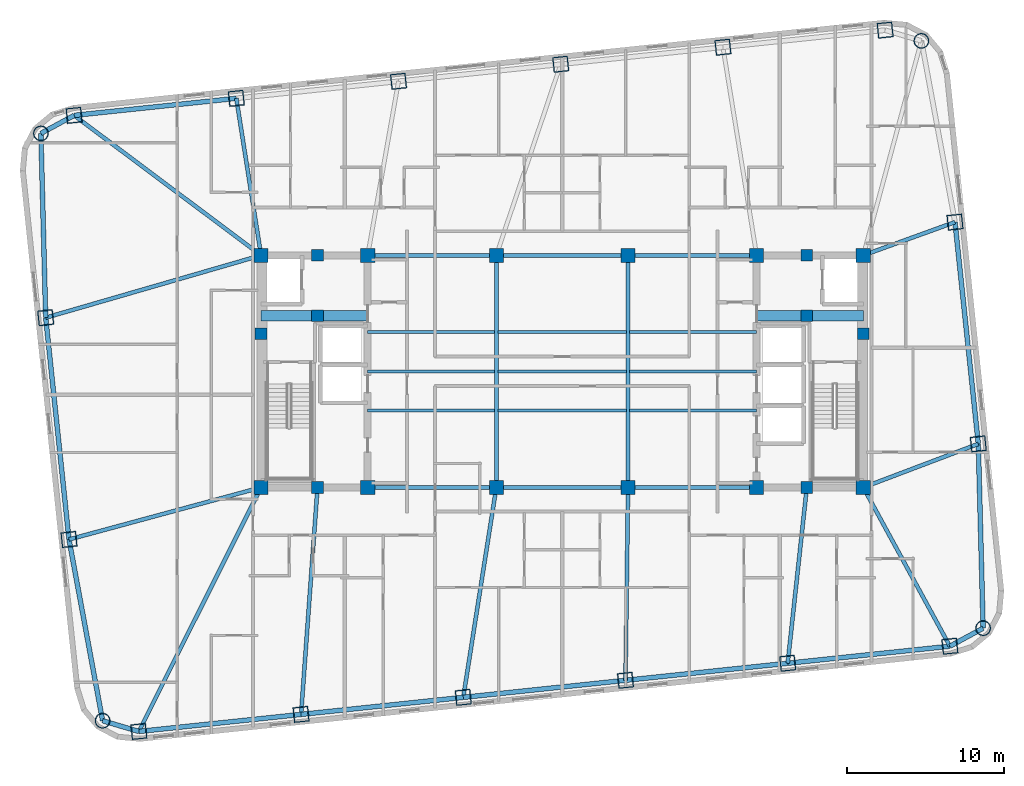
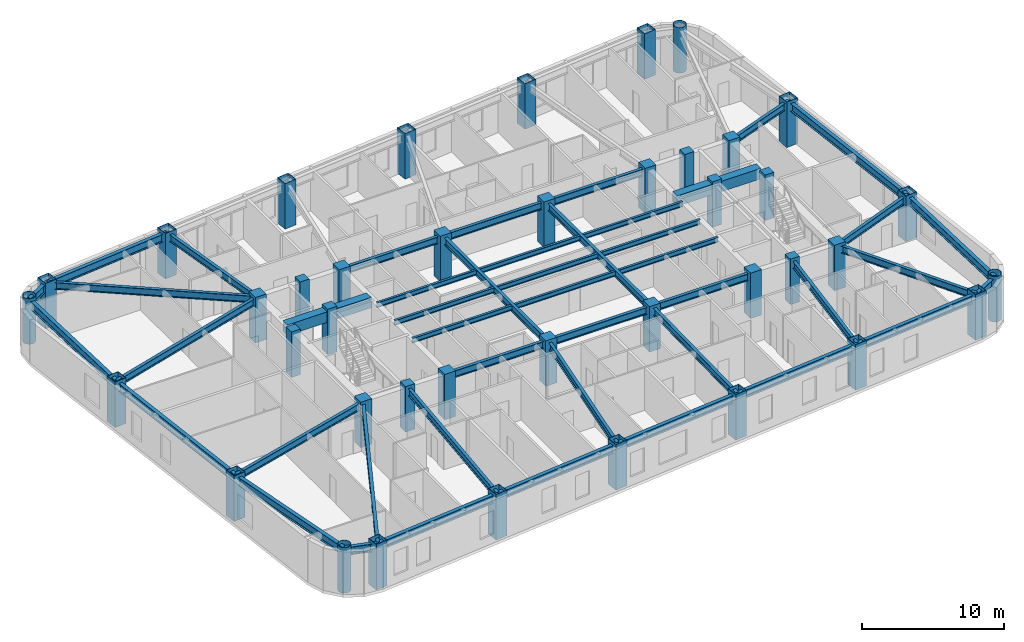
# One storey, part 1 of 11: 45 beams, 40 columns.
"""IFC4 building model written with IfcOpenShell, lengths in metres."""

import ifcopenshell
import ifcopenshell.guid

model = None  # the IFC model being written
_history = None  # IfcOwnerHistory: only IFC2X3 demands one
_inside = {}  # id of a spatial element -> (the spatial element, [elements in it])
_under = {}  # id of a project, library or spatial element -> (it, [spatial elements below it])
_declared = {}  # id of a project -> (the project, [libraries it declares])
_typed = {}  # id of a type object -> (the type object, [elements of that type])
_made_of = {}  # id of a material, layer set ... -> (it, [elements and type objects made of it])


def new_model(schema):
    """Start an empty IFC model of exactly this schema.

    Asked for "IFC4X3", IfcOpenShell would pick the latest addendum, in which some entities
    have other attributes; the version numbers below select the first issue.
    IFC2X3 requires an IfcOwnerHistory on every rooted entity: one is made here for all.
    """
    global model, _history
    if schema == "IFC4X3":
        model = ifcopenshell.file(schema_version=(4, 3, 0, 0))
    else:
        model = ifcopenshell.file(schema=schema)
    _inside.clear()
    _under.clear()
    _declared.clear()
    _typed.clear()
    _made_of.clear()
    _history = None
    if model.schema == "IFC2X3":
        org = make("IfcOrganization", Name="unknown")
        user = make(
            "IfcPersonAndOrganization",
            ThePerson=make("IfcPerson", FamilyName="unknown"),
            TheOrganization=org,
        )
        app = make(
            "IfcApplication",
            ApplicationDeveloper=org,
            Version="unknown",
            ApplicationFullName="unknown",
            ApplicationIdentifier="unknown",
        )
        _history = make(
            "IfcOwnerHistory",
            OwningUser=user,
            OwningApplication=app,
            ChangeAction="ADDED",
            CreationDate=0,
        )
    return model


def make(cls, **values):
    """One entity of the class cls with the attributes given. An attribute that is None is left unset."""
    return model.create_entity(
        cls, **{name: value for name, value in values.items() if value is not None}
    )


def rooted(cls, **values):
    """An entity with a GlobalId (a new one), such as an element, a storey or a relation."""
    return make(cls, GlobalId=ifcopenshell.guid.new(), OwnerHistory=_history, **values)


def si_unit(unit_type, name, prefix=None):
    """IfcSIUnit, for example si_unit("LENGTHUNIT", "METRE", prefix="MILLI")."""
    return make("IfcSIUnit", UnitType=unit_type, Prefix=prefix, Name=name)


def assignment(units):
    """IfcUnitAssignment: the units of a project."""
    return None if units is None else make("IfcUnitAssignment", Units=units)


def point(xyz):
    """IfcCartesianPoint."""
    return None if xyz is None else make("IfcCartesianPoint", Coordinates=xyz)


def direction(xyz):
    """IfcDirection."""
    return None if xyz is None else make("IfcDirection", DirectionRatios=xyz)


def frame(location, z_axis=None, x_axis=None):
    """IfcAxis2Placement3D, a coordinate frame: its origin and axes. An axis left out is left unset."""
    return make(
        "IfcAxis2Placement3D",
        Location=point(location),
        Axis=direction(z_axis),
        RefDirection=direction(x_axis),
    )


def frame_2d(location, x_axis=None):
    """IfcAxis2Placement2D, a coordinate frame in the plane: its origin and x axis."""
    return make(
        "IfcAxis2Placement2D", Location=point(location), RefDirection=direction(x_axis)
    )


def origin():
    """The frame at (0, 0, 0) with its axes left unset."""
    return frame((0.0, 0.0, 0.0))


def origin_2d():
    """The frame at (0, 0) in the plane with its x axis left unset."""
    return frame_2d((0.0, 0.0))


def place(relative_to, where):
    """IfcLocalPlacement: puts the frame where relative to a parent placement (None: the world)."""
    return make(
        "IfcLocalPlacement", PlacementRelTo=relative_to, RelativePlacement=where
    )


def context(
    kind, dimensions, precision=None, world=None, true_north=None, identifier=None
):
    """IfcGeometricRepresentationContext, for example the 3D "Model" context."""
    return make(
        "IfcGeometricRepresentationContext",
        ContextIdentifier=identifier,
        ContextType=kind,
        CoordinateSpaceDimension=dimensions,
        Precision=precision,
        WorldCoordinateSystem=world,
        TrueNorth=true_north,
    )


def subcontext(parent, identifier, kind, view, scale=None):
    """IfcGeometricRepresentationSubContext, for example "Body" below "Model"."""
    return make(
        "IfcGeometricRepresentationSubContext",
        ContextIdentifier=identifier,
        ContextType=kind,
        ParentContext=parent,
        TargetScale=scale,
        TargetView=view,
    )


def project(units=None, contexts=None):
    """IfcProject with its units and contexts."""
    return rooted(
        "IfcProject",
        Name="project",
        RepresentationContexts=contexts,
        UnitsInContext=assignment(units),
    )


def spatial(cls, under=None, at=None, **own):
    """A site, building, storey or space (cls), placed at a placement, below another one or the project."""
    s = rooted(cls, ObjectPlacement=at, **own)
    if under is not None:
        _under.setdefault(under.id(), (under, []))[1].append(s)
    return s


def profile(cls, at=None, kind="AREA", **sizes):
    """A parametric profile (cls). Its sizes go by their IFC names, for example OverallWidth=200.0."""
    return make(cls, ProfileType=kind, Position=at, **sizes)


def rectangle(**sizes):
    """IfcRectangleProfileDef."""
    return profile("IfcRectangleProfileDef", **sizes)


def hollow_rectangle(**sizes):
    """IfcRectangleHollowProfileDef."""
    return profile("IfcRectangleHollowProfileDef", **sizes)


def hollow_circle(**sizes):
    """IfcCircleHollowProfileDef."""
    return profile("IfcCircleHollowProfileDef", **sizes)


def i_section(**sizes):
    """IfcIShapeProfileDef."""
    return profile("IfcIShapeProfileDef", **sizes)


def extrude(swept, where, along, depth):
    """IfcExtrudedAreaSolid: the profile swept, set in the frame where, extruded along a direction by depth."""
    return make(
        "IfcExtrudedAreaSolid",
        SweptArea=swept,
        Position=where,
        ExtrudedDirection=direction(along),
        Depth=depth,
    )


def shape(context_of_items, identifier, shape_type, items):
    """IfcShapeRepresentation: the items that make up one representation, for example the "Body"."""
    return make(
        "IfcShapeRepresentation",
        ContextOfItems=context_of_items,
        RepresentationIdentifier=identifier,
        RepresentationType=shape_type,
        Items=items,
    )


def material(Name=None, Category=None):
    """IfcMaterial."""
    return make("IfcMaterial", Name=Name, Category=Category)


def material_profile(
    of_material, cross_section, Name=None, Category=None, Priority=None
):
    """IfcMaterialProfile: a cross section and its material."""
    return make(
        "IfcMaterialProfile",
        Name=Name,
        Material=of_material,
        Profile=cross_section,
        Priority=Priority,
        Category=Category,
    )


def profile_set(profiles, Name=None, composite=None):
    """IfcMaterialProfileSet."""
    return make(
        "IfcMaterialProfileSet",
        Name=Name,
        MaterialProfiles=profiles,
        CompositeProfile=composite,
    )


def made_of(thing, what):
    """Note that an element or type object is made of a material, layer set ...; save() writes the relation."""
    if what is not None:
        _made_of.setdefault(what.id(), (what, []))[1].append(thing)
    return thing


def type_object(cls, material=None, **own):
    """A type object (cls), such as IfcWallType, which elements share."""
    return made_of(rooted(cls, **own), material)


def element(
    cls,
    number,
    at=None,
    inside=None,
    cuts=None,
    type_object=None,
    material=None,
    context=None,
    identifier="Body",
    shape_type=None,
    held_by="IfcProductDefinitionShape",
    body=None,
    shapes=None,
    **own,
):
    """One element of the class cls, such as IfcWall. Its Tag is "e" and its number.

    at: its placement. inside: the storey or other place that contains it. cuts: it is an
    opening in that element (IfcRelVoidsElement). A single representation is given by context,
    identifier, shape_type and body (its items); several are given by shapes. held_by: the class
    of the entity that holds the representations. save() writes the other relations.
    """
    e = rooted(cls, Tag="e%d" % number, ObjectPlacement=at, **own)
    if body is not None:
        shapes = [shape(context, identifier, shape_type, body)]
    if shapes is not None:
        e.Representation = make(held_by, Representations=shapes)
    if inside is not None:
        _inside.setdefault(inside.id(), (inside, []))[1].append(e)
    if cuts is not None:
        rooted(
            "IfcRelVoidsElement", RelatingBuildingElement=cuts, RelatedOpeningElement=e
        )
    if type_object is not None:
        _typed.setdefault(type_object.id(), (type_object, []))[1].append(e)
    return made_of(e, material)


def aggregate(whole, parts):
    """IfcRelAggregates: a whole, such as a stair, and the parts it consists of."""
    return rooted("IfcRelAggregates", RelatingObject=whole, RelatedObjects=parts)


def save(model, path):
    """Write the relations noted so far, then the file.

    IfcRelAggregates (storeys below a building ...), IfcRelContainedInSpatialStructure (elements
    in a storey), IfcRelDefinesByType, IfcRelAssociatesMaterial and IfcRelDeclares: one each for
    every whole, place, type object, material and project.
    """
    for whole, parts in _under.values():
        aggregate(whole, parts)
    for where, things in _inside.values():
        rooted(
            "IfcRelContainedInSpatialStructure",
            RelatedElements=things,
            RelatingStructure=where,
        )
    for kind, things in _typed.values():
        rooted("IfcRelDefinesByType", RelatedObjects=things, RelatingType=kind)
    for what, things in _made_of.values():
        rooted("IfcRelAssociatesMaterial", RelatedObjects=things, RelatingMaterial=what)
    for by, libraries in _declared.values():
        rooted("IfcRelDeclares", RelatingContext=by, RelatedDefinitions=libraries)
    model.write(path)


model = new_model("IFC4")

# Units and contexts
model_context = context("Model", 3, precision=1e-05, world=origin(), true_north=direction((0.0, 1.0)))
body_context = subcontext(model_context, "Body", "Model", "MODEL_VIEW")
ifc_project = project(units=[si_unit("LENGTHUNIT", "METRE"), si_unit("AREAUNIT", "SQUARE_METRE"), si_unit("VOLUMEUNIT", "CUBIC_METRE"), si_unit("PLANEANGLEUNIT", "RADIAN"), si_unit("MASSUNIT", "GRAM", prefix="KILO")], contexts=[model_context])

# Site, building, storey
site_placement = place(None, origin())
site = spatial("IfcSite", under=ifc_project, at=site_placement, CompositionType="ELEMENT")
building_placement = place(site_placement, origin())
building = spatial("IfcBuilding", under=site, at=building_placement, Name="Voryun Gate Residences", CompositionType="ELEMENT")
storey_placement = place(building_placement, frame((0.0, 0.0, 156.0)))
storey = spatial("IfcBuildingStorey", under=building, at=storey_placement, Name="L38", CompositionType="ELEMENT", Elevation=156.0)

# Columns
ifc_material_1 = material(Name="Concrete C50/60", Category="concrete")
ifc_material_profile_1 = material_profile(ifc_material_1, rectangle(XDim=0.75, YDim=0.75, at=origin_2d()), Name="RC-750x750")
ifc_profile_set_1 = profile_set([ifc_material_profile_1], Name="Concrete C50/60")
column_type_1 = type_object("IfcColumnType", Name="COL_CORE_750", PredefinedType="COLUMN", material=ifc_profile_set_1)
for number, where, z_axis, x_axis, name in (
    (1, (-19.199951171875, 2.39990234375, 0.0), (0.0, 0.0, 1.0), (1.0, 0.0, 0.0), "L38 Core boundary column WC-MW"),
    (2, (-15.60009765625, -7.39990234375, 0.0), (0.0, 0.0, 1.0), (1.0, 0.0, 0.0), "L38 Core boundary column WC-SM"),
    (3, (-15.60009765625, 7.39990234375, 0.0), (0.0, 0.0, 1.0), (1.0, 0.0, 0.0), "L38 Core boundary column WC-NM"),
    (4, (-15.60009765625, 3.550048828125, 0.0), (0.0, 0.0, 1.0), (1.0, 0.0, 0.0), "L38 Core boundary column WC-MM"),
    (5, (15.60009765625, 3.550048828125, 0.0), (0.0, 0.0, 1.0), (1.0, 0.0, 0.0), "L38 Core boundary column EC-MM"),
    (6, (15.60009765625, -7.39990234375, 0.0), (0.0, 0.0, 1.0), (1.0, 0.0, 0.0), "L38 Core boundary column EC-SM"),
    (7, (15.60009765625, 7.39990234375, 0.0), (0.0, 0.0, 1.0), (1.0, 0.0, 0.0), "L38 Core boundary column EC-NM"),
    (8, (19.199951171875, 2.39990234375, 0.0), (0.0, 0.0, 1.0), (1.0, 0.0, 0.0), "L38 Core boundary column EC-ME"),
):
    element("IfcColumn", number, at=place(storey_placement, frame(where, z_axis=z_axis, x_axis=x_axis)), inside=storey, type_object=column_type_1, Name=name, PredefinedType="COLUMN", context=body_context, shape_type="SweptSolid", body=[
        extrude(rectangle(XDim=0.75, YDim=0.75, at=origin_2d()), origin(), (0.0, 0.0, 1.0), 3.89990234375),
    ])
ifc_material_2 = material(Name="Concrete C50/60", Category="concrete")
ifc_material_profile_2 = material_profile(ifc_material_2, rectangle(XDim=0.89990234375, YDim=0.89990234375, at=origin_2d()), Name="RC-900x900")
ifc_profile_set_2 = profile_set([ifc_material_profile_2], Name="Concrete C50/60")
column_type_2 = type_object("IfcColumnType", Name="COL_CORE_900", PredefinedType="COLUMN", material=ifc_profile_set_2)
for number, where, z_axis, x_axis, name in (
    (9, (-19.199951171875, -7.39990234375, 0.0), (0.0, 0.0, 1.0), (1.0, 0.0, 0.0), "L38 Core boundary column WC-SW"),
    (10, (-19.199951171875, 7.39990234375, 0.0), (0.0, 0.0, 1.0), (1.0, 0.0, 0.0), "L38 Core boundary column WC-NW"),
    (11, (-12.39990234375, -7.39990234375, 0.0), (0.0, 0.0, 1.0), (1.0, 0.0, 0.0), "L38 Core boundary column WC-SE"),
    (12, (-12.39990234375, 7.39990234375, 0.0), (0.0, 0.0, 1.0), (1.0, 0.0, 0.0), "L38 Core boundary column WC-NE"),
    (13, (12.39990234375, -7.39990234375, 0.0), (0.0, 0.0, 1.0), (1.0, 0.0, 0.0), "L38 Core boundary column EC-SW"),
    (14, (12.39990234375, 7.39990234375, 0.0), (0.0, 0.0, 1.0), (1.0, 0.0, 0.0), "L38 Core boundary column EC-NW"),
    (15, (19.199951171875, -7.39990234375, 0.0), (0.0, 0.0, 1.0), (1.0, 0.0, 0.0), "L38 Core boundary column EC-SE"),
    (16, (19.199951171875, 7.39990234375, 0.0), (0.0, 0.0, 1.0), (1.0, 0.0, 0.0), "L38 Core boundary column EC-NE"),
    (17, (-4.199951171875, -7.39990234375, 0.0), (0.0, 0.0, 1.0), (1.0, 0.0, 0.0), "L38 Interior spine column SP-WS"),
    (18, (-4.199951171875, 7.39990234375, 0.0), (0.0, 0.0, 1.0), (1.0, 0.0, 0.0), "L38 Interior spine column SP-WN"),
    (19, (4.199951171875, -7.39990234375, 0.0), (0.0, 0.0, 1.0), (1.0, 0.0, 0.0), "L38 Interior spine column SP-ES"),
    (20, (4.199951171875, 7.39990234375, 0.0), (0.0, 0.0, 1.0), (1.0, 0.0, 0.0), "L38 Interior spine column SP-EN"),
):
    element("IfcColumn", number, at=place(storey_placement, frame(where, z_axis=z_axis, x_axis=x_axis)), inside=storey, type_object=column_type_2, Name=name, PredefinedType="COLUMN", context=body_context, shape_type="SweptSolid", body=[
        extrude(rectangle(XDim=0.89990234375, YDim=0.89990234375, at=origin_2d()), origin(), (0.0, 0.0, 1.0), 3.89990234375),
    ])
ifc_material_3 = material(Name="Steel SM420", Category="steel")
ifc_material_profile_3 = material_profile(ifc_material_3, hollow_circle(Radius=0.47509765625, WallThickness=0.031982421875, at=origin_2d()), Name="CHS-950x32")
ifc_profile_set_3 = profile_set([ifc_material_profile_3], Name="Steel SM420")
column_type_3 = type_object("IfcColumnType", Name="COL_CRN_950", PredefinedType="COLUMN", material=ifc_profile_set_3)
for number, where, z_axis, x_axis, name in (
    (21, (26.8408203125, -16.373779296875, 0.0), (0.0, 0.0, 1.0), (0.994521895368, 0.104528463268, 0.0), "L38 Exoskeleton column CSE"),
    (22, (22.90478515625, 21.07470703125, 0.0), (0.0, 0.0, 1.0), (0.994521895368, 0.104528463268, 0.0), "L38 Exoskeleton column CNE"),
    (23, (-33.24072265625, 15.173583984375, 0.0), (0.0, 0.0, 1.0), (0.994521895368, 0.104528463268, 0.0), "L38 Exoskeleton column CNW"),
    (24, (-29.3046875, -22.27490234375, 0.0), (0.0, 0.0, 1.0), (0.994521895368, 0.104528463268, 0.0), "L38 Exoskeleton column CSW"),
):
    element("IfcColumn", number, at=place(storey_placement, frame(where, z_axis=z_axis, x_axis=x_axis)), inside=storey, type_object=column_type_3, Name=name, PredefinedType="COLUMN", context=body_context, shape_type="SweptSolid", body=[
        extrude(hollow_circle(Radius=0.47509765625, WallThickness=0.031982421875, at=origin_2d()), origin(), (0.0, 0.0, 1.0), 3.89990234375),
    ])
ifc_material_4 = material(Name="Steel SM420", Category="steel")
ifc_material_profile_4 = material_profile(ifc_material_4, hollow_rectangle(XDim=0.949951171875, YDim=0.949951171875, WallThickness=0.031982421875, at=origin_2d()), Name="BOX-950x950x32")
ifc_profile_set_4 = profile_set([ifc_material_profile_4], Name="Steel SM420")
column_type_4 = type_object("IfcColumnType", Name="COL_EXO_B3", PredefinedType="COLUMN", material=ifc_profile_set_4)
for number, where, z_axis, x_axis, name in (
    (25, (-26.9931640625, -22.95947265625, 0.0), (0.0, 0.0, 1.0), (0.994521895368, 0.104528463268, 0.0), "L38 Exoskeleton column S1"),
    (26, (-16.650146484375, -21.87255859375, 0.0), (0.0, 0.0, 1.0), (0.994521895368, 0.104528463268, 0.0), "L38 Exoskeleton column S2"),
    (27, (-6.30712890625, -20.785400390625, 0.0), (0.0, 0.0, 1.0), (0.994521895368, 0.104528463268, 0.0), "L38 Exoskeleton column S3"),
    (28, (4.035888671875, -19.6982421875, 0.0), (0.0, 0.0, 1.0), (0.994521895368, 0.104528463268, 0.0), "L38 Exoskeleton column S4"),
    (29, (14.37890625, -18.611083984375, 0.0), (0.0, 0.0, 1.0), (0.994521895368, 0.104528463268, 0.0), "L38 Exoskeleton column S5"),
    (30, (24.721923828125, -17.524169921875, 0.0), (0.0, 0.0, 1.0), (0.994521895368, 0.104528463268, 0.0), "L38 Exoskeleton column S6"),
    (31, (26.533447265625, -4.6240234375, 0.0), (0.0, 0.0, 1.0), (0.994521895368, 0.104528463268, 0.0), "L38 Exoskeleton column E1"),
    (32, (25.047119140625, 9.51806640625, 0.0), (0.0, 0.0, 1.0), (0.994521895368, 0.104528463268, 0.0), "L38 Exoskeleton column E2"),
    (33, (20.593017578125, 21.759521484375, 0.0), (0.0, 0.0, 1.0), (0.994521895368, 0.104528463268, 0.0), "L38 Exoskeleton column N1"),
    (34, (10.25, 20.67236328125, 0.0), (0.0, 0.0, 1.0), (0.994521895368, 0.104528463268, 0.0), "L38 Exoskeleton column N2"),
    (35, (-0.093017578125, 19.58544921875, 0.0), (0.0, 0.0, 1.0), (0.994521895368, 0.104528463268, 0.0), "L38 Exoskeleton column N3"),
    (36, (-10.43603515625, 18.498291015625, 0.0), (0.0, 0.0, 1.0), (0.994521895368, 0.104528463268, 0.0), "L38 Exoskeleton column N4"),
    (37, (-20.779052734375, 17.4111328125, 0.0), (0.0, 0.0, 1.0), (0.994521895368, 0.104528463268, 0.0), "L38 Exoskeleton column N5"),
    (38, (-31.1220703125, 16.323974609375, 0.0), (0.0, 0.0, 1.0), (0.994521895368, 0.104528463268, 0.0), "L38 Exoskeleton column N6"),
    (39, (-32.93359375, 3.424072265625, 0.0), (0.0, 0.0, 1.0), (0.994521895368, 0.104528463268, 0.0), "L38 Exoskeleton column W1"),
    (40, (-31.447021484375, -10.718017578125, 0.0), (0.0, 0.0, 1.0), (0.994521895368, 0.104528463268, 0.0), "L38 Exoskeleton column W2"),
):
    element("IfcColumn", number, at=place(storey_placement, frame(where, z_axis=z_axis, x_axis=x_axis)), inside=storey, type_object=column_type_4, Name=name, PredefinedType="COLUMN", context=body_context, shape_type="SweptSolid", body=[
        extrude(hollow_rectangle(XDim=0.949951171875, YDim=0.949951171875, WallThickness=0.031982421875, at=origin_2d()), origin(), (0.0, 0.0, 1.0), 3.89990234375),
    ])

# Beams
ifc_material_5 = material(Name="Concrete C60/75", Category="concrete")
ifc_material_profile_5 = material_profile(ifc_material_5, rectangle(XDim=0.64990234375, YDim=0.89990234375, at=origin_2d()), Name="RC-650x900")
ifc_profile_set_5 = profile_set([ifc_material_profile_5], Name="Concrete C60/75")
beam_type_1 = type_object("IfcBeamType", Name="BM_COUP_RC900", PredefinedType="LINTEL", material=ifc_profile_set_5)
for number, where, z_axis, x_axis, name in (
    (41, (-19.199951171875, 3.550048828125, 3.199951171875), (1.0, 0.0, 0.0), (0.0, 1.0, 0.0), "BM-L38-WC1"),
    (42, (12.39990234375, 3.550048828125, 3.199951171875), (1.0, 0.0, 0.0), (0.0, 1.0, 0.0), "BM-L38-EC1"),
):
    element("IfcBeam", number, at=place(storey_placement, frame(where, z_axis=z_axis, x_axis=x_axis)), inside=storey, type_object=beam_type_1, Name=name, PredefinedType="LINTEL", context=body_context, shape_type="SweptSolid", body=[
        extrude(rectangle(XDim=0.64990234375, YDim=0.89990234375, at=origin_2d()), origin(), (0.0, 0.0, 1.0), 6.800048828125),
    ])
ifc_material_6 = material(Name="Steel SM355", Category="steel")
ifc_material_profile_6 = material_profile(ifc_material_6, i_section(OverallWidth=0.300048828125, OverallDepth=0.679931640625, WebThickness=0.013916015625, FlangeThickness=0.02490234375, FilletRadius=0.01806640625, at=origin_2d()), Name="H-680x300x14x25")
ifc_profile_set_6 = profile_set([ifc_material_profile_6], Name="Steel SM355")
beam_type_2 = type_object("IfcBeamType", Name="BM_EXO_SPANDREL_M", PredefinedType="SPANDREL", material=ifc_profile_set_6)
for number, where, z_axis, x_axis, name in (
    (43, (-26.9931640625, -22.95947265625, 3.31005859375), (0.99452370336, 0.10451125994, 0.0), (-0.10451125994, 0.99452370336, 0.0), "BM-L38-SPAND-01"),
    (44, (-16.650146484375, -21.87255859375, 3.31005859375), (0.994521263116, 0.104534478571, 0.0), (-0.104534478571, 0.994521263116, 0.0), "BM-L38-SPAND-02"),
    (45, (-6.30712890625, -20.785400390625, 3.31005859375), (0.994521263116, 0.104534478571, 0.0), (-0.104534478571, 0.994521263116, 0.0), "BM-L38-SPAND-03"),
    (46, (4.035888671875, -19.6982421875, 3.31005859375), (0.994521263116, 0.104534478571, 0.0), (-0.104534478571, 0.994521263116, 0.0), "BM-L38-SPAND-04"),
    (47, (14.37890625, -18.611083984375, 3.31005859375), (0.99452370336, 0.10451125994, 0.0), (-0.10451125994, 0.99452370336, 0.0), "BM-L38-SPAND-05"),
):
    element("IfcBeam", number, at=place(storey_placement, frame(where, z_axis=z_axis, x_axis=x_axis)), inside=storey, type_object=beam_type_2, Name=name, PredefinedType="SPANDREL", context=body_context, shape_type="SweptSolid", body=[
        extrude(i_section(OverallWidth=0.300048828125, OverallDepth=0.679931640625, WebThickness=0.013916015625, FlangeThickness=0.02490234375, FilletRadius=0.01806640625, at=origin_2d()), origin(), (0.0, 0.0, 1.0), 10.39990234375),
    ])
beam_1_placement = place(storey_placement, frame((24.721923828125, -17.524169921875, 3.31005859375), z_axis=(0.878830382314, 0.477134319791, 0.0), x_axis=(-0.477134319791, 0.878830382314, 0.0)))
element("IfcBeam", 48, at=beam_1_placement, inside=storey, type_object=beam_type_2, Name="BM-L38-SPAND-06", PredefinedType="SPANDREL", context=body_context, shape_type="SweptSolid", body=[
    extrude(i_section(OverallWidth=0.300048828125, OverallDepth=0.679931640625, WebThickness=0.013916015625, FlangeThickness=0.02490234375, FilletRadius=0.01806640625, at=origin_2d()), origin(), (0.0, 0.0, 1.0), 2.4111328125),
])
beam_2_placement = place(storey_placement, frame((26.8408203125, -16.373779296875, 3.31005859375), z_axis=(-0.026151005195, 0.999658003983, 0.0), x_axis=(-0.999658003983, -0.026151005195, 0.0)))
element("IfcBeam", 49, at=beam_2_placement, inside=storey, type_object=beam_type_2, Name="BM-L38-SPAND-07", PredefinedType="SPANDREL", context=body_context, shape_type="SweptSolid", body=[
    extrude(i_section(OverallWidth=0.300048828125, OverallDepth=0.679931640625, WebThickness=0.013916015625, FlangeThickness=0.02490234375, FilletRadius=0.01806640625, at=origin_2d()), origin(), (0.0, 0.0, 1.0), 11.753662109375),
])
beam_3_placement = place(storey_placement, frame((26.533447265625, -4.6240234375, 3.31005859375), z_axis=(-0.104523913446, 0.994522373563, 0.0), x_axis=(-0.994522373563, -0.104523913446, 0.0)))
element("IfcBeam", 50, at=beam_3_placement, inside=storey, type_object=beam_type_2, Name="BM-L38-SPAND-08", PredefinedType="SPANDREL", context=body_context, shape_type="SweptSolid", body=[
    extrude(i_section(OverallWidth=0.300048828125, OverallDepth=0.679931640625, WebThickness=0.013916015625, FlangeThickness=0.02490234375, FilletRadius=0.01806640625, at=origin_2d()), origin(), (0.0, 0.0, 1.0), 14.219970703125),
])
beam_4_placement = place(storey_placement, frame((-20.779052734375, 17.4111328125, 3.31005859375), z_axis=(-0.994521263116, -0.104534478571, 0.0), x_axis=(0.104534478571, -0.994521263116, 0.0)))
element("IfcBeam", 51, at=beam_4_placement, inside=storey, type_object=beam_type_2, Name="BM-L38-SPAND-15", PredefinedType="SPANDREL", context=body_context, shape_type="SweptSolid", body=[
    extrude(i_section(OverallWidth=0.300048828125, OverallDepth=0.679931640625, WebThickness=0.013916015625, FlangeThickness=0.02490234375, FilletRadius=0.01806640625, at=origin_2d()), origin(), (0.0, 0.0, 1.0), 10.39990234375),
])
beam_5_placement = place(storey_placement, frame((-31.1220703125, 16.323974609375, 3.31005859375), z_axis=(-0.878807326808, -0.47717678312, 0.0), x_axis=(0.47717678312, -0.878807326808, 0.0)))
element("IfcBeam", 52, at=beam_5_placement, inside=storey, type_object=beam_type_2, Name="BM-L38-SPAND-16", PredefinedType="SPANDREL", context=body_context, shape_type="SweptSolid", body=[
    extrude(i_section(OverallWidth=0.300048828125, OverallDepth=0.679931640625, WebThickness=0.013916015625, FlangeThickness=0.02490234375, FilletRadius=0.01806640625, at=origin_2d()), origin(), (0.0, 0.0, 1.0), 2.410888671875),
])
beam_6_placement = place(storey_placement, frame((-33.24072265625, 15.173583984375, 3.31005859375), z_axis=(0.026130790716, -0.999658532588, 0.0), x_axis=(0.999658532588, 0.026130790716, 0.0)))
element("IfcBeam", 53, at=beam_6_placement, inside=storey, type_object=beam_type_2, Name="BM-L38-SPAND-17", PredefinedType="SPANDREL", context=body_context, shape_type="SweptSolid", body=[
    extrude(i_section(OverallWidth=0.300048828125, OverallDepth=0.679931640625, WebThickness=0.013916015625, FlangeThickness=0.02490234375, FilletRadius=0.01806640625, at=origin_2d()), origin(), (0.0, 0.0, 1.0), 11.75341796875),
])
beam_7_placement = place(storey_placement, frame((-32.93359375, 3.424072265625, 3.31005859375), z_axis=(0.104540894669, -0.994520588697, 0.0), x_axis=(0.994520588697, 0.104540894669, 0.0)))
element("IfcBeam", 54, at=beam_7_placement, inside=storey, type_object=beam_type_2, Name="BM-L38-SPAND-18", PredefinedType="SPANDREL", context=body_context, shape_type="SweptSolid", body=[
    extrude(i_section(OverallWidth=0.300048828125, OverallDepth=0.679931640625, WebThickness=0.013916015625, FlangeThickness=0.02490234375, FilletRadius=0.01806640625, at=origin_2d()), origin(), (0.0, 0.0, 1.0), 14.219970703125),
])
beam_8_placement = place(storey_placement, frame((-31.447021484375, -10.718017578125, 3.31005859375), z_axis=(0.182267768769, -0.983248931079, 0.0), x_axis=(0.983248931079, 0.182267768769, 0.0)))
element("IfcBeam", 55, at=beam_8_placement, inside=storey, type_object=beam_type_2, Name="BM-L38-SPAND-19", PredefinedType="SPANDREL", context=body_context, shape_type="SweptSolid", body=[
    extrude(i_section(OverallWidth=0.300048828125, OverallDepth=0.679931640625, WebThickness=0.013916015625, FlangeThickness=0.02490234375, FilletRadius=0.01806640625, at=origin_2d()), origin(), (0.0, 0.0, 1.0), 11.753662109375),
])
beam_9_placement = place(storey_placement, frame((-29.3046875, -22.27490234375, 3.31005859375), z_axis=(0.958834884093, -0.283964196768, 0.0), x_axis=(0.283964196768, 0.958834884093, 0.0)))
element("IfcBeam", 56, at=beam_9_placement, inside=storey, type_object=beam_type_2, Name="BM-L38-SPAND-20", PredefinedType="SPANDREL", context=body_context, shape_type="SweptSolid", body=[
    extrude(i_section(OverallWidth=0.300048828125, OverallDepth=0.679931640625, WebThickness=0.013916015625, FlangeThickness=0.02490234375, FilletRadius=0.01806640625, at=origin_2d()), origin(), (0.0, 0.0, 1.0), 2.41064453125),
])
ifc_material_7 = material(Name="Steel SM355", Category="steel")
ifc_material_profile_7 = material_profile(ifc_material_7, i_section(OverallWidth=0.25, OverallDepth=0.60009765625, WebThickness=0.011962890625, FlangeThickness=0.02197265625, FilletRadius=0.01806640625, at=origin_2d()), Name="H-600x250x12x22")
ifc_profile_set_7 = profile_set([ifc_material_profile_7], Name="Steel SM355")
beam_type_3 = type_object("IfcBeamType", Name="BM_GIRD_600", PredefinedType="USERDEFINED", material=ifc_profile_set_7)
beam_10_placement = place(storey_placement, frame((-12.39990234375, -7.39990234375, 3.35009765625), z_axis=(1.0, 0.0, 0.0), x_axis=(0.0, 1.0, 0.0)))
element("IfcBeam", 57, at=beam_10_placement, inside=storey, type_object=beam_type_3, Name="BM-L38-SPG1-S", ObjectType="GIRDER", PredefinedType="USERDEFINED", context=body_context, shape_type="SweptSolid", body=[
    extrude(i_section(OverallWidth=0.25, OverallDepth=0.60009765625, WebThickness=0.011962890625, FlangeThickness=0.02197265625, FilletRadius=0.01806640625, at=origin_2d()), origin(), (0.0, 0.0, 1.0), 8.199951171875),
])
beam_11_placement = place(storey_placement, frame((-4.199951171875, -7.39990234375, 3.35009765625), z_axis=(1.0, 0.0, 0.0), x_axis=(0.0, 1.0, 0.0)))
element("IfcBeam", 58, at=beam_11_placement, inside=storey, type_object=beam_type_3, Name="BM-L38-SPG2-S", ObjectType="GIRDER", PredefinedType="USERDEFINED", context=body_context, shape_type="SweptSolid", body=[
    extrude(i_section(OverallWidth=0.25, OverallDepth=0.60009765625, WebThickness=0.011962890625, FlangeThickness=0.02197265625, FilletRadius=0.01806640625, at=origin_2d()), origin(), (0.0, 0.0, 1.0), 8.39990234375),
])
for number, where, z_axis, x_axis, name in (
    (59, (4.199951171875, -7.39990234375, 3.35009765625), (1.0, 0.0, 0.0), (0.0, 1.0, 0.0), "BM-L38-SPG3-S"),
    (60, (-12.39990234375, 7.39990234375, 3.35009765625), (1.0, 0.0, 0.0), (0.0, 1.0, 0.0), "BM-L38-SPG1-N"),
):
    element("IfcBeam", number, at=place(storey_placement, frame(where, z_axis=z_axis, x_axis=x_axis)), inside=storey, type_object=beam_type_3, Name=name, ObjectType="GIRDER", PredefinedType="USERDEFINED", context=body_context, shape_type="SweptSolid", body=[
        extrude(i_section(OverallWidth=0.25, OverallDepth=0.60009765625, WebThickness=0.011962890625, FlangeThickness=0.02197265625, FilletRadius=0.01806640625, at=origin_2d()), origin(), (0.0, 0.0, 1.0), 8.199951171875),
    ])
beam_12_placement = place(storey_placement, frame((-4.199951171875, 7.39990234375, 3.35009765625), z_axis=(1.0, 0.0, 0.0), x_axis=(0.0, 1.0, 0.0)))
element("IfcBeam", 61, at=beam_12_placement, inside=storey, type_object=beam_type_3, Name="BM-L38-SPG2-N", ObjectType="GIRDER", PredefinedType="USERDEFINED", context=body_context, shape_type="SweptSolid", body=[
    extrude(i_section(OverallWidth=0.25, OverallDepth=0.60009765625, WebThickness=0.011962890625, FlangeThickness=0.02197265625, FilletRadius=0.01806640625, at=origin_2d()), origin(), (0.0, 0.0, 1.0), 8.39990234375),
])
beam_13_placement = place(storey_placement, frame((4.199951171875, 7.39990234375, 3.35009765625), z_axis=(1.0, 0.0, 0.0), x_axis=(0.0, 1.0, 0.0)))
element("IfcBeam", 62, at=beam_13_placement, inside=storey, type_object=beam_type_3, Name="BM-L38-SPG3-N", ObjectType="GIRDER", PredefinedType="USERDEFINED", context=body_context, shape_type="SweptSolid", body=[
    extrude(i_section(OverallWidth=0.25, OverallDepth=0.60009765625, WebThickness=0.011962890625, FlangeThickness=0.02197265625, FilletRadius=0.01806640625, at=origin_2d()), origin(), (0.0, 0.0, 1.0), 8.199951171875),
])
for number, where, z_axis, x_axis, name in (
    (63, (-4.199951171875, -7.39990234375, 3.35009765625), (0.0, 1.0, 0.0), (-1.0, 0.0, 0.0), "BM-L38-SPX-W"),
    (64, (4.199951171875, -7.39990234375, 3.35009765625), (0.0, 1.0, 0.0), (-1.0, 0.0, 0.0), "BM-L38-SPX-E"),
):
    element("IfcBeam", number, at=place(storey_placement, frame(where, z_axis=z_axis, x_axis=x_axis)), inside=storey, type_object=beam_type_3, Name=name, ObjectType="GIRDER", PredefinedType="USERDEFINED", context=body_context, shape_type="SweptSolid", body=[
        extrude(i_section(OverallWidth=0.25, OverallDepth=0.60009765625, WebThickness=0.011962890625, FlangeThickness=0.02197265625, FilletRadius=0.01806640625, at=origin_2d()), origin(), (0.0, 0.0, 1.0), 14.7998046875),
    ])
beam_14_placement = place(storey_placement, frame((-19.199951171875, -7.39990234375, 3.35009765625), z_axis=(-0.447830780254, -0.894118332357, 0.0), x_axis=(0.894118332357, -0.447830780254, 0.0)))
element("IfcBeam", 65, at=beam_14_placement, inside=storey, type_object=beam_type_3, Name="BM-L38-RAD-S1", ObjectType="GIRDER", PredefinedType="USERDEFINED", context=body_context, shape_type="SweptSolid", body=[
    extrude(i_section(OverallWidth=0.25, OverallDepth=0.60009765625, WebThickness=0.011962890625, FlangeThickness=0.02197265625, FilletRadius=0.01806640625, at=origin_2d()), origin(), (0.0, 0.0, 1.0), 17.402099609375),
])
beam_15_placement = place(storey_placement, frame((-15.60009765625, -7.39990234375, 3.35009765625), z_axis=(-0.072363766769, -0.99737830599, 0.0), x_axis=(0.99737830599, -0.072363766769, 0.0)))
element("IfcBeam", 66, at=beam_15_placement, inside=storey, type_object=beam_type_3, Name="BM-L38-RAD-S2", ObjectType="GIRDER", PredefinedType="USERDEFINED", context=body_context, shape_type="SweptSolid", body=[
    extrude(i_section(OverallWidth=0.25, OverallDepth=0.60009765625, WebThickness=0.011962890625, FlangeThickness=0.02197265625, FilletRadius=0.01806640625, at=origin_2d()), origin(), (0.0, 0.0, 1.0), 14.5107421875),
])
beam_16_placement = place(storey_placement, frame((-4.199951171875, -7.39990234375, 3.35009765625), z_axis=(-0.155507352157, -0.987834734875, 0.0), x_axis=(0.987834734875, -0.155507352157, 0.0)))
element("IfcBeam", 67, at=beam_16_placement, inside=storey, type_object=beam_type_3, Name="BM-L38-RAD-S3", ObjectType="GIRDER", PredefinedType="USERDEFINED", context=body_context, shape_type="SweptSolid", body=[
    extrude(i_section(OverallWidth=0.25, OverallDepth=0.60009765625, WebThickness=0.011962890625, FlangeThickness=0.02197265625, FilletRadius=0.01806640625, at=origin_2d()), origin(), (0.0, 0.0, 1.0), 13.55029296875),
])
beam_17_placement = place(storey_placement, frame((4.199951171875, -7.39990234375, 3.35009765625), z_axis=(-0.013339028327, -0.999911031204, 0.0), x_axis=(0.999911031204, -0.013339028327, 0.0)))
element("IfcBeam", 68, at=beam_17_placement, inside=storey, type_object=beam_type_3, Name="BM-L38-RAD-S4", ObjectType="GIRDER", PredefinedType="USERDEFINED", context=body_context, shape_type="SweptSolid", body=[
    extrude(i_section(OverallWidth=0.25, OverallDepth=0.60009765625, WebThickness=0.011962890625, FlangeThickness=0.02197265625, FilletRadius=0.01806640625, at=origin_2d()), origin(), (0.0, 0.0, 1.0), 12.29931640625),
])
beam_18_placement = place(storey_placement, frame((15.60009765625, -7.39990234375, 3.35009765625), z_axis=(-0.108285693252, -0.994119816037, 0.0), x_axis=(0.994119816037, -0.108285693252, 0.0)))
element("IfcBeam", 69, at=beam_18_placement, inside=storey, type_object=beam_type_3, Name="BM-L38-RAD-S5", ObjectType="GIRDER", PredefinedType="USERDEFINED", context=body_context, shape_type="SweptSolid", body=[
    extrude(i_section(OverallWidth=0.25, OverallDepth=0.60009765625, WebThickness=0.011962890625, FlangeThickness=0.02197265625, FilletRadius=0.01806640625, at=origin_2d()), origin(), (0.0, 0.0, 1.0), 11.277587890625),
])
beam_19_placement = place(storey_placement, frame((19.199951171875, -7.39990234375, 3.35009765625), z_axis=(0.478828398266, -0.877908517451, 0.0), x_axis=(0.877908517451, 0.478828398266, 0.0)))
element("IfcBeam", 70, at=beam_19_placement, inside=storey, type_object=beam_type_3, Name="BM-L38-RAD-S6", ObjectType="GIRDER", PredefinedType="USERDEFINED", context=body_context, shape_type="SweptSolid", body=[
    extrude(i_section(OverallWidth=0.25, OverallDepth=0.60009765625, WebThickness=0.011962890625, FlangeThickness=0.02197265625, FilletRadius=0.01806640625, at=origin_2d()), origin(), (0.0, 0.0, 1.0), 11.5322265625),
])
beam_20_placement = place(storey_placement, frame((19.199951171875, -7.39990234375, 3.35009765625), z_axis=(0.93524224301, 0.354008399462, 0.0), x_axis=(-0.354008399462, 0.93524224301, 0.0)))
element("IfcBeam", 71, at=beam_20_placement, inside=storey, type_object=beam_type_3, Name="BM-L38-RAD-E1", ObjectType="GIRDER", PredefinedType="USERDEFINED", context=body_context, shape_type="SweptSolid", body=[
    extrude(i_section(OverallWidth=0.25, OverallDepth=0.60009765625, WebThickness=0.011962890625, FlangeThickness=0.02197265625, FilletRadius=0.01806640625, at=origin_2d()), origin(), (0.0, 0.0, 1.0), 7.84130859375),
])
beam_21_placement = place(storey_placement, frame((19.199951171875, 7.39990234375, 3.35009765625), z_axis=(0.94020993833, 0.340595466595, 0.0), x_axis=(-0.340595466595, 0.94020993833, 0.0)))
element("IfcBeam", 72, at=beam_21_placement, inside=storey, type_object=beam_type_3, Name="BM-L38-RAD-E2", ObjectType="GIRDER", PredefinedType="USERDEFINED", context=body_context, shape_type="SweptSolid", body=[
    extrude(i_section(OverallWidth=0.25, OverallDepth=0.60009765625, WebThickness=0.011962890625, FlangeThickness=0.02197265625, FilletRadius=0.01806640625, at=origin_2d()), origin(), (0.0, 0.0, 1.0), 6.218994140625),
])
beam_22_placement = place(storey_placement, frame((-19.199951171875, 7.39990234375, 3.35009765625), z_axis=(-0.155806710133, 0.987787562727, 0.0), x_axis=(-0.987787562727, -0.155806710133, 0.0)))
element("IfcBeam", 73, at=beam_22_placement, inside=storey, type_object=beam_type_3, Name="BM-L38-RAD-N5", ObjectType="GIRDER", PredefinedType="USERDEFINED", context=body_context, shape_type="SweptSolid", body=[
    extrude(i_section(OverallWidth=0.25, OverallDepth=0.60009765625, WebThickness=0.011962890625, FlangeThickness=0.02197265625, FilletRadius=0.01806640625, at=origin_2d()), origin(), (0.0, 0.0, 1.0), 10.135009765625),
])
beam_23_placement = place(storey_placement, frame((-19.199951171875, 7.39990234375, 3.35009765625), z_axis=(-0.800564252374, 0.599246925583, 0.0), x_axis=(-0.599246925583, -0.800564252374, 0.0)))
element("IfcBeam", 74, at=beam_23_placement, inside=storey, type_object=beam_type_3, Name="BM-L38-RAD-N6", ObjectType="GIRDER", PredefinedType="USERDEFINED", context=body_context, shape_type="SweptSolid", body=[
    extrude(i_section(OverallWidth=0.25, OverallDepth=0.60009765625, WebThickness=0.011962890625, FlangeThickness=0.02197265625, FilletRadius=0.01806640625, at=origin_2d()), origin(), (0.0, 0.0, 1.0), 14.89208984375),
])
beam_24_placement = place(storey_placement, frame((-19.199951171875, 7.39990234375, 3.35009765625), z_axis=(-0.960558623239, -0.278077563498, 0.0), x_axis=(0.278077563498, -0.960558623239, 0.0)))
element("IfcBeam", 75, at=beam_24_placement, inside=storey, type_object=beam_type_3, Name="BM-L38-RAD-W1", ObjectType="GIRDER", PredefinedType="USERDEFINED", context=body_context, shape_type="SweptSolid", body=[
    extrude(i_section(OverallWidth=0.25, OverallDepth=0.60009765625, WebThickness=0.011962890625, FlangeThickness=0.02197265625, FilletRadius=0.01806640625, at=origin_2d()), origin(), (0.0, 0.0, 1.0), 14.297607421875),
])
beam_25_placement = place(storey_placement, frame((-19.199951171875, -7.39990234375, 3.35009765625), z_axis=(-0.965202497616, -0.261503611058, 0.0), x_axis=(0.261503611058, -0.965202497616, 0.0)))
element("IfcBeam", 76, at=beam_25_placement, inside=storey, type_object=beam_type_3, Name="BM-L38-RAD-W2", ObjectType="GIRDER", PredefinedType="USERDEFINED", context=body_context, shape_type="SweptSolid", body=[
    extrude(i_section(OverallWidth=0.25, OverallDepth=0.60009765625, WebThickness=0.011962890625, FlangeThickness=0.02197265625, FilletRadius=0.01806640625, at=origin_2d()), origin(), (0.0, 0.0, 1.0), 12.688720703125),
])
ifc_material_8 = material(Name="Steel SM355", Category="steel")
ifc_material_profile_8 = material_profile(ifc_material_8, i_section(OverallWidth=0.18994140625, OverallDepth=0.419921875, WebThickness=0.009033203125, FlangeThickness=0.01611328125, FilletRadius=0.01806640625, at=origin_2d()), Name="H-420x190x9x16")
ifc_profile_set_8 = profile_set([ifc_material_profile_8], Name="Steel SM355")
beam_type_4 = type_object("IfcBeamType", Name="BM_SEC_420", PredefinedType="BEAM", material=ifc_profile_set_8)
beam_26_placement = place(storey_placement, frame((-12.39990234375, -2.5, 3.43994140625), z_axis=(1.0, 0.0, 0.0), x_axis=(0.0, 1.0, 0.0)))
element("IfcBeam", 77, at=beam_26_placement, inside=storey, type_object=beam_type_4, Name="BM-L38-SEC-CS1", PredefinedType="BEAM", context=body_context, shape_type="SweptSolid", body=[
    extrude(i_section(OverallWidth=0.18994140625, OverallDepth=0.419921875, WebThickness=0.009033203125, FlangeThickness=0.01611328125, FilletRadius=0.01806640625, at=origin_2d()), origin(), (0.0, 0.0, 1.0), 8.099853515625),
])
beam_27_placement = place(storey_placement, frame((-4.10009765625, -2.5, 3.43994140625), z_axis=(1.0, 0.0, 0.0), x_axis=(0.0, 1.0, 0.0)))
element("IfcBeam", 78, at=beam_27_placement, inside=storey, type_object=beam_type_4, Name="BM-L38-SEC-CS2", PredefinedType="BEAM", context=body_context, shape_type="SweptSolid", body=[
    extrude(i_section(OverallWidth=0.18994140625, OverallDepth=0.419921875, WebThickness=0.009033203125, FlangeThickness=0.01611328125, FilletRadius=0.01806640625, at=origin_2d()), origin(), (0.0, 0.0, 1.0), 8.2001953125),
])
for number, where, z_axis, x_axis, name in (
    (79, (4.300048828125, -2.5, 3.43994140625), (1.0, 0.0, 0.0), (0.0, 1.0, 0.0), "BM-L38-SEC-CS3"),
    (80, (-12.39990234375, 0.0, 3.43994140625), (1.0, 0.0, 0.0), (0.0, 1.0, 0.0), "BM-L38-SEC-CM1"),
):
    element("IfcBeam", number, at=place(storey_placement, frame(where, z_axis=z_axis, x_axis=x_axis)), inside=storey, type_object=beam_type_4, Name=name, PredefinedType="BEAM", context=body_context, shape_type="SweptSolid", body=[
        extrude(i_section(OverallWidth=0.18994140625, OverallDepth=0.419921875, WebThickness=0.009033203125, FlangeThickness=0.01611328125, FilletRadius=0.01806640625, at=origin_2d()), origin(), (0.0, 0.0, 1.0), 8.099853515625),
    ])
beam_28_placement = place(storey_placement, frame((-4.10009765625, 0.0, 3.43994140625), z_axis=(1.0, 0.0, 0.0), x_axis=(0.0, 1.0, 0.0)))
element("IfcBeam", 81, at=beam_28_placement, inside=storey, type_object=beam_type_4, Name="BM-L38-SEC-CM2", PredefinedType="BEAM", context=body_context, shape_type="SweptSolid", body=[
    extrude(i_section(OverallWidth=0.18994140625, OverallDepth=0.419921875, WebThickness=0.009033203125, FlangeThickness=0.01611328125, FilletRadius=0.01806640625, at=origin_2d()), origin(), (0.0, 0.0, 1.0), 8.2001953125),
])
for number, where, z_axis, x_axis, name in (
    (82, (4.300048828125, 0.0, 3.43994140625), (1.0, 0.0, 0.0), (0.0, 1.0, 0.0), "BM-L38-SEC-CM3"),
    (83, (-12.39990234375, 2.5, 3.43994140625), (1.0, 0.0, 0.0), (0.0, 1.0, 0.0), "BM-L38-SEC-CN1"),
):
    element("IfcBeam", number, at=place(storey_placement, frame(where, z_axis=z_axis, x_axis=x_axis)), inside=storey, type_object=beam_type_4, Name=name, PredefinedType="BEAM", context=body_context, shape_type="SweptSolid", body=[
        extrude(i_section(OverallWidth=0.18994140625, OverallDepth=0.419921875, WebThickness=0.009033203125, FlangeThickness=0.01611328125, FilletRadius=0.01806640625, at=origin_2d()), origin(), (0.0, 0.0, 1.0), 8.099853515625),
    ])
beam_29_placement = place(storey_placement, frame((-4.10009765625, 2.5, 3.43994140625), z_axis=(1.0, 0.0, 0.0), x_axis=(0.0, 1.0, 0.0)))
element("IfcBeam", 84, at=beam_29_placement, inside=storey, type_object=beam_type_4, Name="BM-L38-SEC-CN2", PredefinedType="BEAM", context=body_context, shape_type="SweptSolid", body=[
    extrude(i_section(OverallWidth=0.18994140625, OverallDepth=0.419921875, WebThickness=0.009033203125, FlangeThickness=0.01611328125, FilletRadius=0.01806640625, at=origin_2d()), origin(), (0.0, 0.0, 1.0), 8.2001953125),
])
beam_30_placement = place(storey_placement, frame((4.300048828125, 2.5, 3.43994140625), z_axis=(1.0, 0.0, 0.0), x_axis=(0.0, 1.0, 0.0)))
element("IfcBeam", 85, at=beam_30_placement, inside=storey, type_object=beam_type_4, Name="BM-L38-SEC-CN3", PredefinedType="BEAM", context=body_context, shape_type="SweptSolid", body=[
    extrude(i_section(OverallWidth=0.18994140625, OverallDepth=0.419921875, WebThickness=0.009033203125, FlangeThickness=0.01611328125, FilletRadius=0.01806640625, at=origin_2d()), origin(), (0.0, 0.0, 1.0), 8.099853515625),
])

save(model, "model.ifc")
